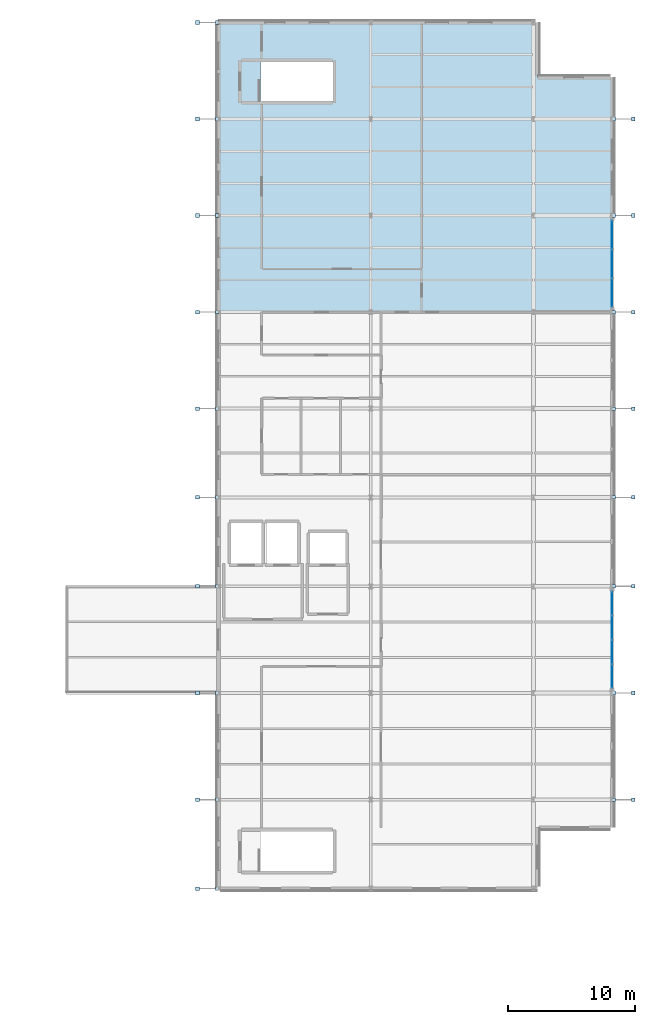
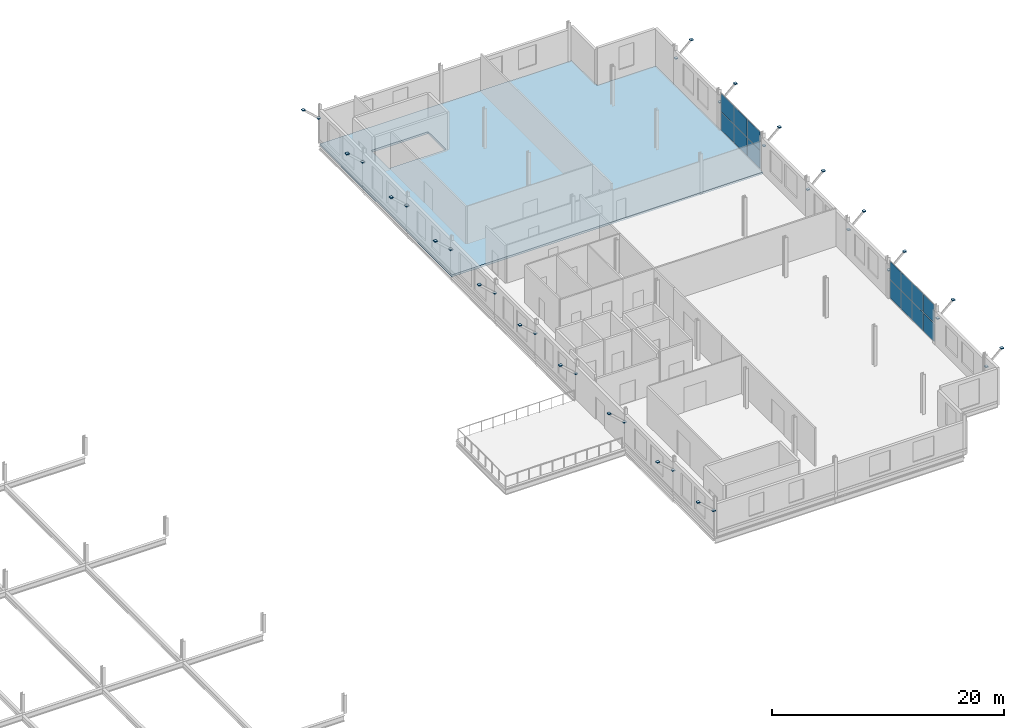
# One storey, part 18 of 25: 50 plates, 1 slab, 2 elements without a shape of their own.
"""IFC4 building model written with IfcOpenShell, lengths in metres."""

from ifc_helpers import new_model, si_unit, direction, frame, origin, origin_2d, place, context, subcontext, project, spatial, polyline, rectangle, outline, extrude, material, layer, layer_set, type_object, element, aggregate, save


model = new_model("IFC4")

# Units and contexts
model_context = context("Model", 3, precision=1e-05, world=origin(), true_north=direction((0.0, 1.0)))
body_context = subcontext(model_context, "Body", "Model", "MODEL_VIEW")
ifc_project = project(units=[si_unit("LENGTHUNIT", "METRE"), si_unit("AREAUNIT", "SQUARE_METRE"), si_unit("VOLUMEUNIT", "CUBIC_METRE"), si_unit("PLANEANGLEUNIT", "RADIAN"), si_unit("MASSUNIT", "GRAM", prefix="KILO")], contexts=[model_context])

# Site, building, storey
site_placement = place(None, origin())
site = spatial("IfcSite", under=ifc_project, at=site_placement, CompositionType="ELEMENT")
building_placement = place(site_placement, origin())
building = spatial("IfcBuilding", under=site, at=building_placement, Name="Vekula Escarpment Museum", CompositionType="ELEMENT")
storey_placement = place(building_placement, frame((0.0, 0.0, 26.39990234375)))
storey = spatial("IfcBuildingStorey", under=building, at=storey_placement, Name="L06", CompositionType="ELEMENT", Elevation=26.39990234375)

# Curtain wall, plates
ifc_material_1 = material(Name="Aluminium thermally broken framing", Category="aluminium")
ifc_layer_1 = layer(ifc_material_1, 0.14990234375)
ifc_layer_set_1 = layer_set([ifc_layer_1], Name="Aluminium thermally broken framing")
curtain_wall_type_1 = type_object("IfcCurtainWallType", Name="CW-SYS-09", PredefinedType="NOTDEFINED", material=ifc_layer_set_1)
curtain_wall_1_placement = place(storey_placement, origin())
curtain_wall_1 = element("IfcCurtainWall", 1, at=curtain_wall_1_placement, inside=storey, type_object=curtain_wall_type_1, Name="Curtain Wall CW-L06-189", PredefinedType="NOTDEFINED")
ifc_material_2 = material(Name="Acoustic laminated double low-E glass", Category="glass")
ifc_layer_2 = layer(ifc_material_2, 0.031982421875)
ifc_layer_set_2 = layer_set([ifc_layer_2], Name="Acoustic laminated double low-E glass")
plate_type_1 = type_object("IfcPlateType", Name="CW-PNL-32", PredefinedType="CURTAIN_PANEL", material=ifc_layer_set_2)
plate_1_placement = place(storey_placement, frame((198.0, 69.3349609375, 0.06005859375), z_axis=(0.0, 0.0, 1.0), x_axis=(0.0, 1.0, 0.0)))
plate_1 = element("IfcPlate", 2, at=plate_1_placement, type_object=plate_type_1, Name="CW-09 panel 1.1", PredefinedType="CURTAIN_PANEL", context=body_context, shape_type="SweptSolid", body=[
    extrude(rectangle(XDim=1.830078125, YDim=0.031982421875, at=origin_2d()), origin(), (0.0, 0.0, 1.0), 1.909912109375),
])
plate_2_placement = place(storey_placement, frame((198.0, 69.3349609375, 2.0302734375), z_axis=(0.0, 0.0, 1.0), x_axis=(0.0, 1.0, 0.0)))
plate_2 = element("IfcPlate", 3, at=plate_2_placement, type_object=plate_type_1, Name="CW-09 panel 1.2", PredefinedType="CURTAIN_PANEL", context=body_context, shape_type="SweptSolid", body=[
    extrude(rectangle(XDim=1.830078125, YDim=0.031982421875, at=origin_2d()), origin(), (0.0, 0.0, 1.0), 1.909912109375),
])
plate_3_placement = place(storey_placement, frame((198.0, 71.239990234375, 0.06005859375), z_axis=(0.0, 0.0, 1.0), x_axis=(0.0, 1.0, 0.0)))
plate_3 = element("IfcPlate", 4, at=plate_3_placement, type_object=plate_type_1, Name="CW-09 panel 2.1", PredefinedType="CURTAIN_PANEL", context=body_context, shape_type="SweptSolid", body=[
    extrude(rectangle(XDim=1.860107421875, YDim=0.031982421875, at=origin_2d()), origin(), (0.0, 0.0, 1.0), 1.909912109375),
])
plate_4_placement = place(storey_placement, frame((198.0, 71.239990234375, 2.0302734375), z_axis=(0.0, 0.0, 1.0), x_axis=(0.0, 1.0, 0.0)))
plate_4 = element("IfcPlate", 5, at=plate_4_placement, type_object=plate_type_1, Name="CW-09 panel 2.2", PredefinedType="CURTAIN_PANEL", context=body_context, shape_type="SweptSolid", body=[
    extrude(rectangle(XDim=1.860107421875, YDim=0.031982421875, at=origin_2d()), origin(), (0.0, 0.0, 1.0), 1.909912109375),
])
plate_5_placement = place(storey_placement, frame((198.0, 73.159912109375, 0.06005859375), z_axis=(0.0, 0.0, 1.0), x_axis=(0.0, 1.0, 0.0)))
plate_5 = element("IfcPlate", 6, at=plate_5_placement, type_object=plate_type_1, Name="CW-09 panel 3.1", PredefinedType="CURTAIN_PANEL", context=body_context, shape_type="SweptSolid", body=[
    extrude(rectangle(XDim=1.860107421875, YDim=0.031982421875, at=origin_2d()), origin(), (0.0, 0.0, 1.0), 1.909912109375),
])
plate_6_placement = place(storey_placement, frame((198.0, 73.159912109375, 2.0302734375), z_axis=(0.0, 0.0, 1.0), x_axis=(0.0, 1.0, 0.0)))
plate_6 = element("IfcPlate", 7, at=plate_6_placement, type_object=plate_type_1, Name="CW-09 panel 3.2", PredefinedType="CURTAIN_PANEL", context=body_context, shape_type="SweptSolid", body=[
    extrude(rectangle(XDim=1.860107421875, YDim=0.031982421875, at=origin_2d()), origin(), (0.0, 0.0, 1.0), 1.909912109375),
])
plate_7_placement = place(storey_placement, frame((198.0, 75.06494140625, 0.06005859375), z_axis=(0.0, 0.0, 1.0), x_axis=(0.0, 1.0, 0.0)))
plate_7 = element("IfcPlate", 8, at=plate_7_placement, type_object=plate_type_1, Name="CW-09 panel 4.1", PredefinedType="CURTAIN_PANEL", context=body_context, shape_type="SweptSolid", body=[
    extrude(rectangle(XDim=1.830078125, YDim=0.031982421875, at=origin_2d()), origin(), (0.0, 0.0, 1.0), 1.909912109375),
])
plate_8_placement = place(storey_placement, frame((198.0, 75.06494140625, 2.0302734375), z_axis=(0.0, 0.0, 1.0), x_axis=(0.0, 1.0, 0.0)))
plate_8 = element("IfcPlate", 9, at=plate_8_placement, type_object=plate_type_1, Name="CW-09 panel 4.2", PredefinedType="CURTAIN_PANEL", context=body_context, shape_type="SweptSolid", body=[
    extrude(rectangle(XDim=1.830078125, YDim=0.031982421875, at=origin_2d()), origin(), (0.0, 0.0, 1.0), 1.909912109375),
])
aggregate(curtain_wall_1, [plate_1, plate_2, plate_3, plate_4, plate_5, plate_6, plate_7, plate_8])

ifc_material_3 = material(Name="Aluminium thermally broken framing", Category="aluminium")
ifc_layer_3 = layer(ifc_material_3, 0.169921875)
ifc_layer_set_3 = layer_set([ifc_layer_3], Name="Aluminium thermally broken framing")
curtain_wall_type_2 = type_object("IfcCurtainWallType", Name="CW-SYS-10", PredefinedType="NOTDEFINED", material=ifc_layer_set_3)
curtain_wall_2_placement = place(storey_placement, origin())
curtain_wall_2 = element("IfcCurtainWall", 10, at=curtain_wall_2_placement, inside=storey, type_object=curtain_wall_type_2, Name="Curtain Wall CW-L06-190", PredefinedType="NOTDEFINED")
ifc_material_4 = material(Name="Triple UV-filtered museum gallery glass", Category="glass")
ifc_layer_4 = layer(ifc_material_4, 0.035888671875)
ifc_layer_set_4 = layer_set([ifc_layer_4], Name="Triple UV-filtered museum gallery glass")
plate_type_2 = type_object("IfcPlateType", Name="CW-PNL-36", PredefinedType="CURTAIN_PANEL", material=ifc_layer_set_4)
plate_9_placement = place(storey_placement, frame((198.0, 99.521728515625, 0.06005859375), z_axis=(0.0, 0.0, 1.0), x_axis=(0.0, 1.0, 0.0)))
plate_9 = element("IfcPlate", 11, at=plate_9_placement, type_object=plate_type_2, Name="CW-10 panel 1.1", PredefinedType="CURTAIN_PANEL", context=body_context, shape_type="SweptSolid", body=[
    extrude(rectangle(XDim=2.203369140625, YDim=0.035888671875, at=origin_2d()), origin(), (0.0, 0.0, 1.0), 1.909912109375),
])
plate_10_placement = place(storey_placement, frame((198.0, 99.521728515625, 2.0302734375), z_axis=(0.0, 0.0, 1.0), x_axis=(0.0, 1.0, 0.0)))
plate_10 = element("IfcPlate", 12, at=plate_10_placement, type_object=plate_type_2, Name="CW-10 panel 1.2", PredefinedType="CURTAIN_PANEL", context=body_context, shape_type="SweptSolid", body=[
    extrude(rectangle(XDim=2.203369140625, YDim=0.035888671875, at=origin_2d()), origin(), (0.0, 0.0, 1.0), 1.909912109375),
])
plate_11_placement = place(storey_placement, frame((198.0, 101.800048828125, 0.06005859375), z_axis=(0.0, 0.0, 1.0), x_axis=(0.0, 1.0, 0.0)))
plate_11 = element("IfcPlate", 13, at=plate_11_placement, type_object=plate_type_2, Name="CW-10 panel 2.1", PredefinedType="CURTAIN_PANEL", context=body_context, shape_type="SweptSolid", body=[
    extrude(rectangle(XDim=2.2333984375, YDim=0.035888671875, at=origin_2d()), origin(), (0.0, 0.0, 1.0), 1.909912109375),
])
plate_12_placement = place(storey_placement, frame((198.0, 101.800048828125, 2.0302734375), z_axis=(0.0, 0.0, 1.0), x_axis=(0.0, 1.0, 0.0)))
plate_12 = element("IfcPlate", 14, at=plate_12_placement, type_object=plate_type_2, Name="CW-10 panel 2.2", PredefinedType="CURTAIN_PANEL", context=body_context, shape_type="SweptSolid", body=[
    extrude(rectangle(XDim=2.2333984375, YDim=0.035888671875, at=origin_2d()), origin(), (0.0, 0.0, 1.0), 1.909912109375),
])
plate_13_placement = place(storey_placement, frame((198.0, 104.078369140625, 0.06005859375), z_axis=(0.0, 0.0, 1.0), x_axis=(0.0, 1.0, 0.0)))
plate_13 = element("IfcPlate", 15, at=plate_13_placement, type_object=plate_type_2, Name="CW-10 panel 3.1", PredefinedType="CURTAIN_PANEL", context=body_context, shape_type="SweptSolid", body=[
    extrude(rectangle(XDim=2.203369140625, YDim=0.035888671875, at=origin_2d()), origin(), (0.0, 0.0, 1.0), 1.909912109375),
])
plate_14_placement = place(storey_placement, frame((198.0, 104.078369140625, 2.0302734375), z_axis=(0.0, 0.0, 1.0), x_axis=(0.0, 1.0, 0.0)))
plate_14 = element("IfcPlate", 16, at=plate_14_placement, type_object=plate_type_2, Name="CW-10 panel 3.2", PredefinedType="CURTAIN_PANEL", context=body_context, shape_type="SweptSolid", body=[
    extrude(rectangle(XDim=2.203369140625, YDim=0.035888671875, at=origin_2d()), origin(), (0.0, 0.0, 1.0), 1.909912109375),
])
aggregate(curtain_wall_2, [plate_9, plate_10, plate_11, plate_12, plate_13, plate_14])

# Plates
ifc_material_5 = material(Name="Steel S355", Category="steel")
ifc_layer_5 = layer(ifc_material_5, 0.01611328125)
ifc_layer_set_5 = layer_set([ifc_layer_5], Name="Steel S355")
plate_type_3 = type_object("IfcPlateType", Name="PL-CAP-16", PredefinedType="SHEET", material=ifc_layer_set_5)
for number, where, z_axis, x_axis, name in (
    (17, (166.88525390625, 52.60009765625, 2.6943359375), (0.0, 0.0, 1.0), (1.0, 0.0, 0.0), "Hollow section end cap CP-16"),
    (18, (165.3447265625, 52.60009765625, 4.10400390625), (0.0, 0.0, 1.0), (1.0, 0.0, 0.0), "Hollow section end cap CP-16"),
    (19, (166.88525390625, 59.60009765625, 2.6943359375), (0.0, 0.0, 1.0), (1.0, 0.0, 0.0), "Hollow section end cap CP-16"),
    (20, (165.3447265625, 59.60009765625, 4.10400390625), (0.0, 0.0, 1.0), (1.0, 0.0, 0.0), "Hollow section end cap CP-16"),
    (21, (198.11474609375, 59.60009765625, 2.6943359375), (0.0, 0.0, 1.0), (1.0, 0.0, 0.0), "Hollow section end cap CP-16"),
    (22, (199.6552734375, 59.60009765625, 4.10400390625), (0.0, 0.0, 1.0), (1.0, 0.0, 0.0), "Hollow section end cap CP-16"),
    (23, (166.88525390625, 68.0, 2.6943359375), (0.0, 0.0, 1.0), (1.0, 0.0, 0.0), "Hollow section end cap CP-16"),
    (24, (165.3447265625, 68.0, 4.10400390625), (0.0, 0.0, 1.0), (1.0, 0.0, 0.0), "Hollow section end cap CP-16"),
    (25, (198.11474609375, 68.0, 2.6943359375), (0.0, 0.0, 1.0), (1.0, 0.0, 0.0), "Hollow section end cap CP-16"),
    (26, (199.6552734375, 68.0, 4.10400390625), (0.0, 0.0, 1.0), (1.0, 0.0, 0.0), "Hollow section end cap CP-16"),
    (27, (166.88525390625, 76.39990234375, 2.6943359375), (0.0, 0.0, 1.0), (1.0, 0.0, 0.0), "Hollow section end cap CP-16"),
    (28, (165.3447265625, 76.39990234375, 4.10400390625), (0.0, 0.0, 1.0), (1.0, 0.0, 0.0), "Hollow section end cap CP-16"),
    (29, (198.11474609375, 76.39990234375, 2.6943359375), (0.0, 0.0, 1.0), (1.0, 0.0, 0.0), "Hollow section end cap CP-16"),
    (30, (199.6552734375, 76.39990234375, 4.10400390625), (0.0, 0.0, 1.0), (1.0, 0.0, 0.0), "Hollow section end cap CP-16"),
    (31, (166.88525390625, 83.39990234375, 2.6943359375), (0.0, 0.0, 1.0), (1.0, 0.0, 0.0), "Hollow section end cap CP-16"),
    (32, (165.3447265625, 83.39990234375, 4.10400390625), (0.0, 0.0, 1.0), (1.0, 0.0, 0.0), "Hollow section end cap CP-16"),
    (33, (198.11474609375, 83.39990234375, 2.6943359375), (0.0, 0.0, 1.0), (1.0, 0.0, 0.0), "Hollow section end cap CP-16"),
    (34, (199.6552734375, 83.39990234375, 4.10400390625), (0.0, 0.0, 1.0), (1.0, 0.0, 0.0), "Hollow section end cap CP-16"),
    (35, (166.88525390625, 90.39990234375, 2.6943359375), (0.0, 0.0, 1.0), (1.0, 0.0, 0.0), "Hollow section end cap CP-16"),
    (36, (165.3447265625, 90.39990234375, 4.10400390625), (0.0, 0.0, 1.0), (1.0, 0.0, 0.0), "Hollow section end cap CP-16"),
    (37, (198.11474609375, 90.39990234375, 2.6943359375), (0.0, 0.0, 1.0), (1.0, 0.0, 0.0), "Hollow section end cap CP-16"),
    (38, (199.6552734375, 90.39990234375, 4.10400390625), (0.0, 0.0, 1.0), (1.0, 0.0, 0.0), "Hollow section end cap CP-16"),
    (39, (166.88525390625, 98.0, 2.6943359375), (0.0, 0.0, 1.0), (1.0, 0.0, 0.0), "Hollow section end cap CP-16"),
    (40, (165.3447265625, 98.0, 4.10400390625), (0.0, 0.0, 1.0), (1.0, 0.0, 0.0), "Hollow section end cap CP-16"),
    (41, (198.11474609375, 98.0, 2.6943359375), (0.0, 0.0, 1.0), (1.0, 0.0, 0.0), "Hollow section end cap CP-16"),
    (42, (199.6552734375, 98.0, 4.10400390625), (0.0, 0.0, 1.0), (1.0, 0.0, 0.0), "Hollow section end cap CP-16"),
    (43, (166.88525390625, 105.60009765625, 2.6943359375), (0.0, 0.0, 1.0), (1.0, 0.0, 0.0), "Hollow section end cap CP-16"),
    (44, (165.3447265625, 105.60009765625, 4.10400390625), (0.0, 0.0, 1.0), (1.0, 0.0, 0.0), "Hollow section end cap CP-16"),
    (45, (198.11474609375, 105.60009765625, 2.6943359375), (0.0, 0.0, 1.0), (1.0, 0.0, 0.0), "Hollow section end cap CP-16"),
    (46, (199.6552734375, 105.60009765625, 4.10400390625), (0.0, 0.0, 1.0), (1.0, 0.0, 0.0), "Hollow section end cap CP-16"),
    (47, (166.88525390625, 113.199951171875, 2.6943359375), (0.0, 0.0, 1.0), (1.0, 0.0, 0.0), "Hollow section end cap CP-16"),
    (48, (165.3447265625, 113.199951171875, 4.10400390625), (0.0, 0.0, 1.0), (1.0, 0.0, 0.0), "Hollow section end cap CP-16"),
    (49, (198.11474609375, 113.199951171875, 2.6943359375), (0.0, 0.0, 1.0), (1.0, 0.0, 0.0), "Hollow section end cap CP-16"),
    (50, (199.6552734375, 113.199951171875, 4.10400390625), (0.0, 0.0, 1.0), (1.0, 0.0, 0.0), "Hollow section end cap CP-16"),
    (51, (166.88525390625, 120.800048828125, 2.6943359375), (0.0, 0.0, 1.0), (1.0, 0.0, 0.0), "Hollow section end cap CP-16"),
    (52, (165.3447265625, 120.800048828125, 4.10400390625), (0.0, 0.0, 1.0), (1.0, 0.0, 0.0), "Hollow section end cap CP-16"),
):
    element("IfcPlate", number, at=place(storey_placement, frame(where, z_axis=z_axis, x_axis=x_axis)), inside=storey, type_object=plate_type_3, Name=name, PredefinedType="SHEET", context=body_context, shape_type="SweptSolid", body=[
        extrude(rectangle(XDim=0.280029296875, YDim=0.280029296875, at=origin_2d()), origin(), (0.0, 0.0, 1.0), 0.101806640625),
    ])

# Slab
ifc_material_6 = material(Name="Concrete C35/45", Category="concrete")
ifc_layer_6 = layer(ifc_material_6, 0.219970703125)
ifc_layer_set_6 = layer_set([ifc_layer_6], Name="Concrete C35/45")
slab_type = type_object("IfcSlabType", Name="SL-FLR-220", PredefinedType="FLOOR", material=ifc_layer_set_6)
slab_placement = place(storey_placement, frame((0.0, 0.0, -0.219970703125)))
element("IfcSlab", 53, at=slab_placement, inside=storey, type_object=slab_type, Name="Floor Slab W-L06-V3-NE", PredefinedType="FLOOR", context=body_context, shape_type="SweptSolid", body=[
    extrude(outline(polyline([(167.0, 98.0), (198.0, 98.0), (198.0, 116.468017578125), (192.110107421875, 116.468017578125), (192.110107421875, 120.800048828125), (167.0, 120.800048828125), (167.0, 98.0)]), holes=[polyline([(170.31005859375, 114.60009765625), (176.0, 114.60009765625), (176.0, 117.699951171875), (170.31005859375, 117.699951171875), (170.31005859375, 114.60009765625)])]), origin(), (0.0, 0.0, 1.0), 0.219970703125),
])

save(model, "model.ifc")
